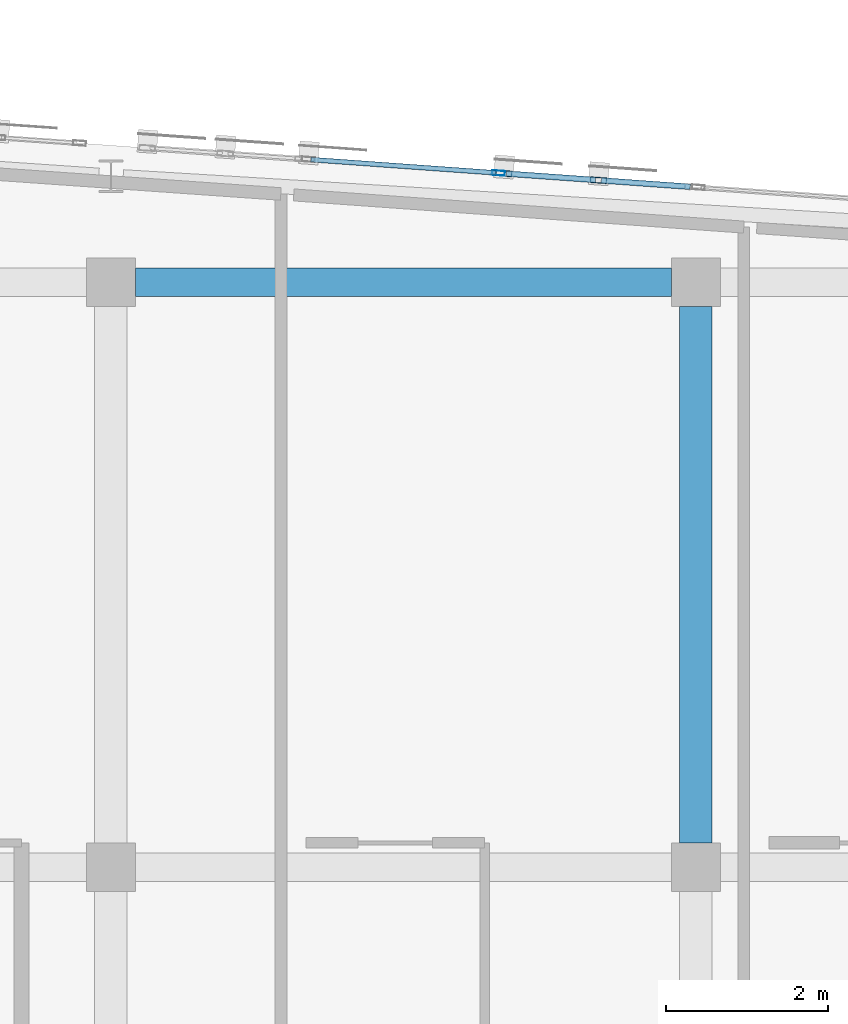
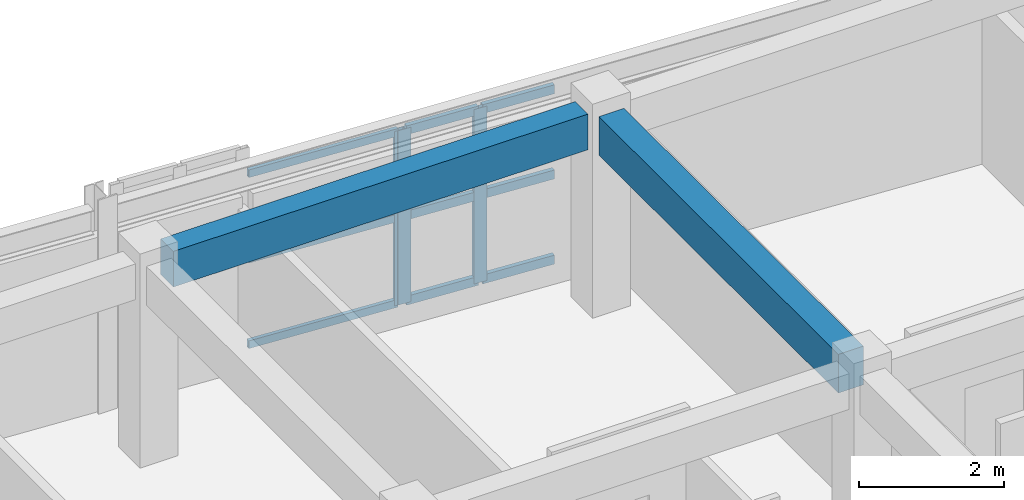
# One storey, part 25 of 51: 12 members, 2 beams, 2 elements without a shape of their own.
"""IFC4 building model written with IfcOpenShell, lengths in metres."""

import ifcopenshell
import ifcopenshell.guid

model = None  # the IFC model being written
_history = None  # IfcOwnerHistory: only IFC2X3 demands one
_inside = {}  # id of a spatial element -> (the spatial element, [elements in it])
_under = {}  # id of a project, library or spatial element -> (it, [spatial elements below it])
_declared = {}  # id of a project -> (the project, [libraries it declares])
_typed = {}  # id of a type object -> (the type object, [elements of that type])
_made_of = {}  # id of a material, layer set ... -> (it, [elements and type objects made of it])


def new_model(schema):
    """Start an empty IFC model of exactly this schema.

    Asked for "IFC4X3", IfcOpenShell would pick the latest addendum, in which some entities
    have other attributes; the version numbers below select the first issue.
    IFC2X3 requires an IfcOwnerHistory on every rooted entity: one is made here for all.
    """
    global model, _history
    if schema == "IFC4X3":
        model = ifcopenshell.file(schema_version=(4, 3, 0, 0))
    else:
        model = ifcopenshell.file(schema=schema)
    _inside.clear()
    _under.clear()
    _declared.clear()
    _typed.clear()
    _made_of.clear()
    _history = None
    if model.schema == "IFC2X3":
        org = make("IfcOrganization", Name="unknown")
        user = make(
            "IfcPersonAndOrganization",
            ThePerson=make("IfcPerson", FamilyName="unknown"),
            TheOrganization=org,
        )
        app = make(
            "IfcApplication",
            ApplicationDeveloper=org,
            Version="unknown",
            ApplicationFullName="unknown",
            ApplicationIdentifier="unknown",
        )
        _history = make(
            "IfcOwnerHistory",
            OwningUser=user,
            OwningApplication=app,
            ChangeAction="ADDED",
            CreationDate=0,
        )
    return model


def make(cls, **values):
    """One entity of the class cls with the attributes given. An attribute that is None is left unset."""
    return model.create_entity(
        cls, **{name: value for name, value in values.items() if value is not None}
    )


def rooted(cls, **values):
    """An entity with a GlobalId (a new one), such as an element, a storey or a relation."""
    return make(cls, GlobalId=ifcopenshell.guid.new(), OwnerHistory=_history, **values)


def si_unit(unit_type, name, prefix=None):
    """IfcSIUnit, for example si_unit("LENGTHUNIT", "METRE", prefix="MILLI")."""
    return make("IfcSIUnit", UnitType=unit_type, Prefix=prefix, Name=name)


def assignment(units):
    """IfcUnitAssignment: the units of a project."""
    return None if units is None else make("IfcUnitAssignment", Units=units)


def point(xyz):
    """IfcCartesianPoint."""
    return None if xyz is None else make("IfcCartesianPoint", Coordinates=xyz)


def direction(xyz):
    """IfcDirection."""
    return None if xyz is None else make("IfcDirection", DirectionRatios=xyz)


def frame(location, z_axis=None, x_axis=None):
    """IfcAxis2Placement3D, a coordinate frame: its origin and axes. An axis left out is left unset."""
    return make(
        "IfcAxis2Placement3D",
        Location=point(location),
        Axis=direction(z_axis),
        RefDirection=direction(x_axis),
    )


def frame_2d(location, x_axis=None):
    """IfcAxis2Placement2D, a coordinate frame in the plane: its origin and x axis."""
    return make(
        "IfcAxis2Placement2D", Location=point(location), RefDirection=direction(x_axis)
    )


def origin():
    """The frame at (0, 0, 0) with its axes left unset."""
    return frame((0.0, 0.0, 0.0))


def origin_2d():
    """The frame at (0, 0) in the plane with its x axis left unset."""
    return frame_2d((0.0, 0.0))


def place(relative_to, where):
    """IfcLocalPlacement: puts the frame where relative to a parent placement (None: the world)."""
    return make(
        "IfcLocalPlacement", PlacementRelTo=relative_to, RelativePlacement=where
    )


def context(
    kind, dimensions, precision=None, world=None, true_north=None, identifier=None
):
    """IfcGeometricRepresentationContext, for example the 3D "Model" context."""
    return make(
        "IfcGeometricRepresentationContext",
        ContextIdentifier=identifier,
        ContextType=kind,
        CoordinateSpaceDimension=dimensions,
        Precision=precision,
        WorldCoordinateSystem=world,
        TrueNorth=true_north,
    )


def subcontext(parent, identifier, kind, view, scale=None):
    """IfcGeometricRepresentationSubContext, for example "Body" below "Model"."""
    return make(
        "IfcGeometricRepresentationSubContext",
        ContextIdentifier=identifier,
        ContextType=kind,
        ParentContext=parent,
        TargetScale=scale,
        TargetView=view,
    )


def project(units=None, contexts=None):
    """IfcProject with its units and contexts."""
    return rooted(
        "IfcProject",
        Name="project",
        RepresentationContexts=contexts,
        UnitsInContext=assignment(units),
    )


def spatial(cls, under=None, at=None, **own):
    """A site, building, storey or space (cls), placed at a placement, below another one or the project."""
    s = rooted(cls, ObjectPlacement=at, **own)
    if under is not None:
        _under.setdefault(under.id(), (under, []))[1].append(s)
    return s


def profile(cls, at=None, kind="AREA", **sizes):
    """A parametric profile (cls). Its sizes go by their IFC names, for example OverallWidth=200.0."""
    return make(cls, ProfileType=kind, Position=at, **sizes)


def rectangle(**sizes):
    """IfcRectangleProfileDef."""
    return profile("IfcRectangleProfileDef", **sizes)


def hollow_rectangle(**sizes):
    """IfcRectangleHollowProfileDef."""
    return profile("IfcRectangleHollowProfileDef", **sizes)


def extrude(swept, where, along, depth):
    """IfcExtrudedAreaSolid: the profile swept, set in the frame where, extruded along a direction by depth."""
    return make(
        "IfcExtrudedAreaSolid",
        SweptArea=swept,
        Position=where,
        ExtrudedDirection=direction(along),
        Depth=depth,
    )


def shape(context_of_items, identifier, shape_type, items):
    """IfcShapeRepresentation: the items that make up one representation, for example the "Body"."""
    return make(
        "IfcShapeRepresentation",
        ContextOfItems=context_of_items,
        RepresentationIdentifier=identifier,
        RepresentationType=shape_type,
        Items=items,
    )


def material(Name=None, Category=None):
    """IfcMaterial."""
    return make("IfcMaterial", Name=Name, Category=Category)


def layer(
    of_material, thickness, ventilated=None, Name=None, Category=None, Priority=None
):
    """IfcMaterialLayer: one layer of a wall or slab, of a material (None: an air gap)."""
    return make(
        "IfcMaterialLayer",
        Material=of_material,
        LayerThickness=thickness,
        IsVentilated=ventilated,
        Name=Name,
        Category=Category,
        Priority=Priority,
    )


def layer_set(layers, Name=None):
    """IfcMaterialLayerSet."""
    return make("IfcMaterialLayerSet", MaterialLayers=layers, LayerSetName=Name)


def material_profile(
    of_material, cross_section, Name=None, Category=None, Priority=None
):
    """IfcMaterialProfile: a cross section and its material."""
    return make(
        "IfcMaterialProfile",
        Name=Name,
        Material=of_material,
        Profile=cross_section,
        Priority=Priority,
        Category=Category,
    )


def profile_set(profiles, Name=None, composite=None):
    """IfcMaterialProfileSet."""
    return make(
        "IfcMaterialProfileSet",
        Name=Name,
        MaterialProfiles=profiles,
        CompositeProfile=composite,
    )


def made_of(thing, what):
    """Note that an element or type object is made of a material, layer set ...; save() writes the relation."""
    if what is not None:
        _made_of.setdefault(what.id(), (what, []))[1].append(thing)
    return thing


def type_object(cls, material=None, **own):
    """A type object (cls), such as IfcWallType, which elements share."""
    return made_of(rooted(cls, **own), material)


def element(
    cls,
    number,
    at=None,
    inside=None,
    cuts=None,
    type_object=None,
    material=None,
    context=None,
    identifier="Body",
    shape_type=None,
    held_by="IfcProductDefinitionShape",
    body=None,
    shapes=None,
    **own,
):
    """One element of the class cls, such as IfcWall. Its Tag is "e" and its number.

    at: its placement. inside: the storey or other place that contains it. cuts: it is an
    opening in that element (IfcRelVoidsElement). A single representation is given by context,
    identifier, shape_type and body (its items); several are given by shapes. held_by: the class
    of the entity that holds the representations. save() writes the other relations.
    """
    e = rooted(cls, Tag="e%d" % number, ObjectPlacement=at, **own)
    if body is not None:
        shapes = [shape(context, identifier, shape_type, body)]
    if shapes is not None:
        e.Representation = make(held_by, Representations=shapes)
    if inside is not None:
        _inside.setdefault(inside.id(), (inside, []))[1].append(e)
    if cuts is not None:
        rooted(
            "IfcRelVoidsElement", RelatingBuildingElement=cuts, RelatedOpeningElement=e
        )
    if type_object is not None:
        _typed.setdefault(type_object.id(), (type_object, []))[1].append(e)
    return made_of(e, material)


def aggregate(whole, parts):
    """IfcRelAggregates: a whole, such as a stair, and the parts it consists of."""
    return rooted("IfcRelAggregates", RelatingObject=whole, RelatedObjects=parts)


def save(model, path):
    """Write the relations noted so far, then the file.

    IfcRelAggregates (storeys below a building ...), IfcRelContainedInSpatialStructure (elements
    in a storey), IfcRelDefinesByType, IfcRelAssociatesMaterial and IfcRelDeclares: one each for
    every whole, place, type object, material and project.
    """
    for whole, parts in _under.values():
        aggregate(whole, parts)
    for where, things in _inside.values():
        rooted(
            "IfcRelContainedInSpatialStructure",
            RelatedElements=things,
            RelatingStructure=where,
        )
    for kind, things in _typed.values():
        rooted("IfcRelDefinesByType", RelatedObjects=things, RelatingType=kind)
    for what, things in _made_of.values():
        rooted("IfcRelAssociatesMaterial", RelatedObjects=things, RelatingMaterial=what)
    for by, libraries in _declared.values():
        rooted("IfcRelDeclares", RelatingContext=by, RelatedDefinitions=libraries)
    model.write(path)


model = new_model("IFC4")

# Units and contexts
model_context = context("Model", 3, precision=1e-05, world=origin(), true_north=direction((0.0, 1.0)))
body_context = subcontext(model_context, "Body", "Model", "MODEL_VIEW")
ifc_project = project(units=[si_unit("LENGTHUNIT", "METRE"), si_unit("AREAUNIT", "SQUARE_METRE"), si_unit("VOLUMEUNIT", "CUBIC_METRE"), si_unit("PLANEANGLEUNIT", "RADIAN"), si_unit("MASSUNIT", "GRAM", prefix="KILO")], contexts=[model_context])

# Site, building, storey
site_placement = place(None, origin())
site = spatial("IfcSite", under=ifc_project, at=site_placement, CompositionType="ELEMENT")
building_placement = place(site_placement, origin())
building = spatial("IfcBuilding", under=site, at=building_placement, Name="Carrowvane Square Congress Hotel", CompositionType="ELEMENT")
storey_placement = place(building_placement, frame((0.0, 0.0, 30.0)))
storey = spatial("IfcBuildingStorey", under=building, at=storey_placement, Name="L07", CompositionType="ELEMENT", Elevation=30.0)

# Beams
ifc_material_1 = material(Name="Concrete C35/45", Category="concrete")
ifc_material_profile_1 = material_profile(ifc_material_1, rectangle(XDim=0.35009765625, YDim=0.60009765625, at=origin_2d()), Name="RC 350x600")
ifc_profile_set_1 = profile_set([ifc_material_profile_1], Name="Concrete C35/45")
beam_type_1 = type_object("IfcBeamType", Name="BM-RC-350x600", PredefinedType="BEAM", material=ifc_profile_set_1)
beam_1_placement = place(storey_placement, frame((134.300048828125, 113.39990234375, 3.06005859375), z_axis=(1.0, 0.0, 0.0), x_axis=(0.0, 1.0, 0.0)))
element("IfcBeam", 1, at=beam_1_placement, inside=storey, type_object=beam_type_1, Name="L08 girder R/18-19", PredefinedType="BEAM", context=body_context, shape_type="SweptSolid", body=[
    extrude(rectangle(XDim=0.35009765625, YDim=0.60009765625, at=origin_2d()), origin(), (0.0, 0.0, 1.0), 6.599853515625),
])
ifc_material_2 = material(Name="Concrete C35/45", Category="concrete")
ifc_material_profile_2 = material_profile(ifc_material_2, rectangle(XDim=0.39990234375, YDim=0.64990234375, at=origin_2d()), Name="RC 400x650")
ifc_profile_set_2 = profile_set([ifc_material_profile_2], Name="Concrete C35/45")
beam_type_2 = type_object("IfcBeamType", Name="BM-RC-400x650", PredefinedType="BEAM", material=ifc_profile_set_2)
beam_2_placement = place(storey_placement, frame((141.199951171875, 106.5, 3.034912109375), z_axis=(0.0, 1.0, 0.0), x_axis=(-1.0, 0.0, 0.0)))
element("IfcBeam", 2, at=beam_2_placement, inside=storey, type_object=beam_type_2, Name="L08 girder 19/Q-R", PredefinedType="BEAM", context=body_context, shape_type="SweptSolid", body=[
    extrude(rectangle(XDim=0.39990234375, YDim=0.64990234375, at=origin_2d()), origin(), (0.0, 0.0, 1.0), 6.60009765625),
])

# Curtain wall, member
ifc_material_3 = material(Name="Anodised aluminium", Category="aluminium")
ifc_layer_1 = layer(ifc_material_3, 0.162109375)
ifc_layer_set_1 = layer_set([ifc_layer_1], Name="Anodised aluminium")
curtain_wall_type_1 = type_object("IfcCurtainWallType", Name="CW-SYS-1", PredefinedType="NOTDEFINED", material=ifc_layer_set_1)
curtain_wall_1_placement = place(storey_placement, origin())
curtain_wall_1 = element("IfcCurtainWall", 3, at=curtain_wall_1_placement, inside=storey, type_object=curtain_wall_type_1, Name="L07 unitised curtain wall 448", PredefinedType="NOTDEFINED")
ifc_material_4 = material(Name="Anodised aluminium", Category="aluminium")
ifc_material_profile_3 = material_profile(ifc_material_4, hollow_rectangle(XDim=0.06005859375, YDim=0.159912109375, WallThickness=0.00390625, at=origin_2d()), Name="CW-ML 60x160x4")
ifc_profile_set_3 = profile_set([ifc_material_profile_3], Name="Anodised aluminium")
member_type_1 = type_object("IfcMemberType", Name="CW-MUL-1", PredefinedType="MULLION", material=ifc_profile_set_3)
member_1_placement = place(storey_placement, frame((138.77001953125, 114.745361328125, 0.0), z_axis=(0.0, 0.0, 1.0), x_axis=(0.071531759512, 0.997438322595, 0.0)))
member_1 = element("IfcMember", 4, at=member_1_placement, type_object=member_type_1, Name="CW-1 mullion 2", PredefinedType="MULLION", context=body_context, shape_type="SweptSolid", body=[
    extrude(hollow_rectangle(XDim=0.06005859375, YDim=0.159912109375, WallThickness=0.00390625, at=origin_2d()), origin(), (0.0, 0.0, 1.0), 2.935546875),
])

# Curtain wall, members
ifc_material_5 = material(Name="Anodised aluminium", Category="aluminium")
ifc_layer_2 = layer(ifc_material_5, 0.174072265625)
ifc_layer_set_2 = layer_set([ifc_layer_2], Name="Anodised aluminium")
curtain_wall_type_2 = type_object("IfcCurtainWallType", Name="CW-SYS-2", PredefinedType="NOTDEFINED", material=ifc_layer_set_2)
curtain_wall_2_placement = place(storey_placement, origin())
curtain_wall_2 = element("IfcCurtainWall", 5, at=curtain_wall_2_placement, inside=storey, type_object=curtain_wall_type_2, Name="L07 unitised curtain wall 449", PredefinedType="NOTDEFINED")
ifc_material_6 = material(Name="Anodised aluminium", Category="aluminium")
ifc_material_profile_4 = material_profile(ifc_material_6, hollow_rectangle(XDim=0.070068359375, YDim=0.199951171875, WallThickness=0.0048828125, at=origin_2d()), Name="CW-ML 70x200x5")
ifc_profile_set_4 = profile_set([ifc_material_profile_4], Name="Anodised aluminium")
member_type_2 = type_object("IfcMemberType", Name="CW-MUL-2", PredefinedType="MULLION", material=ifc_profile_set_4)
member_2_placement = place(storey_placement, frame((138.8349609375, 114.74072265625, 0.0), z_axis=(0.0, 0.0, 1.0), x_axis=(0.071422490945, 0.997446152826, 0.0)))
member_2 = element("IfcMember", 6, at=member_2_placement, type_object=member_type_2, Name="CW-2 mullion 1", PredefinedType="MULLION", context=body_context, shape_type="SweptSolid", body=[
    extrude(hollow_rectangle(XDim=0.070068359375, YDim=0.199951171875, WallThickness=0.0048828125, at=origin_2d()), origin(), (0.0, 0.0, 1.0), 2.935546875),
])
member_3_placement = place(storey_placement, frame((140.0, 114.6572265625, 0.0), z_axis=(0.0, 0.0, 1.0), x_axis=(0.071422490945, 0.997446152826, 0.0)))
member_3 = element("IfcMember", 7, at=member_3_placement, type_object=member_type_2, Name="CW-2 mullion 2", PredefinedType="MULLION", context=body_context, shape_type="SweptSolid", body=[
    extrude(hollow_rectangle(XDim=0.070068359375, YDim=0.199951171875, WallThickness=0.0048828125, at=origin_2d()), origin(), (0.0, 0.0, 1.0), 2.935546875),
])

# Member
ifc_material_7 = material(Name="Anodised aluminium", Category="aluminium")
ifc_material_profile_5 = material_profile(ifc_material_7, hollow_rectangle(XDim=0.06005859375, YDim=0.1298828125, WallThickness=0.00390625, at=origin_2d()), Name="CW-TR 60x130x4")
ifc_profile_set_5 = profile_set([ifc_material_profile_5], Name="Anodised aluminium")
member_type_3 = type_object("IfcMemberType", Name="CW-TRN-1", PredefinedType="USERDEFINED", material=ifc_profile_set_5)
member_4_placement = place(storey_placement, frame((136.4599609375, 114.910888671875, 0.030029296875), z_axis=(0.997436969988, -0.071550617761, 0.0), x_axis=(0.071550617761, 0.997436969988, 0.0)))
member_4 = element("IfcMember", 8, at=member_4_placement, type_object=member_type_3, Name="CW-1 transom 1.1", ObjectType="TRANSOM", PredefinedType="USERDEFINED", context=body_context, shape_type="SweptSolid", body=[
    extrude(hollow_rectangle(XDim=0.06005859375, YDim=0.1298828125, WallThickness=0.00390625, at=origin_2d()), origin(), (0.0, 0.0, 1.0), 2.2861328125),
])

member_5_placement = place(storey_placement, frame((136.4599609375, 114.910888671875, 1.4677734375), z_axis=(0.997436969988, -0.071550617761, 0.0), x_axis=(0.071550617761, 0.997436969988, 0.0)))
member_5 = element("IfcMember", 9, at=member_5_placement, type_object=member_type_3, Name="CW-1 transom 1.2", ObjectType="TRANSOM", PredefinedType="USERDEFINED", context=body_context, shape_type="SweptSolid", body=[
    extrude(hollow_rectangle(XDim=0.06005859375, YDim=0.1298828125, WallThickness=0.00390625, at=origin_2d()), origin(), (0.0, 0.0, 1.0), 2.2861328125),
])

member_6_placement = place(storey_placement, frame((136.4599609375, 114.910888671875, 2.905517578125), z_axis=(0.997436969988, -0.071550617761, 0.0), x_axis=(0.071550617761, 0.997436969988, 0.0)))
member_6 = element("IfcMember", 10, at=member_6_placement, type_object=member_type_3, Name="CW-1 transom 1.3", ObjectType="TRANSOM", PredefinedType="USERDEFINED", context=body_context, shape_type="SweptSolid", body=[
    extrude(hollow_rectangle(XDim=0.06005859375, YDim=0.1298828125, WallThickness=0.00390625, at=origin_2d()), origin(), (0.0, 0.0, 1.0), 2.2861328125),
])

aggregate(curtain_wall_1, [member_1, member_4, member_5, member_6])

ifc_material_8 = material(Name="Anodised aluminium", Category="aluminium")
ifc_material_profile_6 = material_profile(ifc_material_8, hollow_rectangle(XDim=0.070068359375, YDim=0.14990234375, WallThickness=0.0048828125, at=origin_2d()), Name="CW-TR 70x150x5")
ifc_profile_set_6 = profile_set([ifc_material_profile_6], Name="Anodised aluminium")
member_type_4 = type_object("IfcMemberType", Name="CW-TRN-2", PredefinedType="USERDEFINED", material=ifc_profile_set_6)
member_7_placement = place(storey_placement, frame((138.869873046875, 114.738037109375, 0.034912109375), z_axis=(0.997449662492, -0.071373460022, 0.0), x_axis=(0.071373460022, 0.997449662492, 0.0)))
member_7 = element("IfcMember", 11, at=member_7_placement, type_object=member_type_4, Name="CW-2 transom 1.1", ObjectType="TRANSOM", PredefinedType="USERDEFINED", context=body_context, shape_type="SweptSolid", body=[
    extrude(hollow_rectangle(XDim=0.070068359375, YDim=0.14990234375, WallThickness=0.0048828125, at=origin_2d()), origin(), (0.0, 0.0, 1.0), 1.097900390625),
])

member_8_placement = place(storey_placement, frame((138.869873046875, 114.738037109375, 1.4677734375), z_axis=(0.997449662492, -0.071373460022, 0.0), x_axis=(0.071373460022, 0.997449662492, 0.0)))
member_8 = element("IfcMember", 12, at=member_8_placement, type_object=member_type_4, Name="CW-2 transom 1.2", ObjectType="TRANSOM", PredefinedType="USERDEFINED", context=body_context, shape_type="SweptSolid", body=[
    extrude(hollow_rectangle(XDim=0.070068359375, YDim=0.14990234375, WallThickness=0.0048828125, at=origin_2d()), origin(), (0.0, 0.0, 1.0), 1.097900390625),
])

member_9_placement = place(storey_placement, frame((138.869873046875, 114.738037109375, 2.900634765625), z_axis=(0.997449662492, -0.071373460022, 0.0), x_axis=(0.071373460022, 0.997449662492, 0.0)))
member_9 = element("IfcMember", 13, at=member_9_placement, type_object=member_type_4, Name="CW-2 transom 1.3", ObjectType="TRANSOM", PredefinedType="USERDEFINED", context=body_context, shape_type="SweptSolid", body=[
    extrude(hollow_rectangle(XDim=0.070068359375, YDim=0.14990234375, WallThickness=0.0048828125, at=origin_2d()), origin(), (0.0, 0.0, 1.0), 1.097900390625),
])

member_10_placement = place(storey_placement, frame((140.034912109375, 114.65478515625, 0.034912109375), z_axis=(0.997433808996, -0.071594669304, 0.0), x_axis=(0.071594669304, 0.997433808996, 0.0)))
member_10 = element("IfcMember", 14, at=member_10_placement, type_object=member_type_4, Name="CW-2 transom 2.1", ObjectType="TRANSOM", PredefinedType="USERDEFINED", context=body_context, shape_type="SweptSolid", body=[
    extrude(hollow_rectangle(XDim=0.070068359375, YDim=0.14990234375, WallThickness=0.0048828125, at=origin_2d()), origin(), (0.0, 0.0, 1.0), 1.09814453125),
])

member_11_placement = place(storey_placement, frame((140.034912109375, 114.65478515625, 1.4677734375), z_axis=(0.997433808996, -0.071594669304, 0.0), x_axis=(0.071594669304, 0.997433808996, 0.0)))
member_11 = element("IfcMember", 15, at=member_11_placement, type_object=member_type_4, Name="CW-2 transom 2.2", ObjectType="TRANSOM", PredefinedType="USERDEFINED", context=body_context, shape_type="SweptSolid", body=[
    extrude(hollow_rectangle(XDim=0.070068359375, YDim=0.14990234375, WallThickness=0.0048828125, at=origin_2d()), origin(), (0.0, 0.0, 1.0), 1.09814453125),
])

member_12_placement = place(storey_placement, frame((140.034912109375, 114.65478515625, 2.900634765625), z_axis=(0.997433808996, -0.071594669304, 0.0), x_axis=(0.071594669304, 0.997433808996, 0.0)))
member_12 = element("IfcMember", 16, at=member_12_placement, type_object=member_type_4, Name="CW-2 transom 2.3", ObjectType="TRANSOM", PredefinedType="USERDEFINED", context=body_context, shape_type="SweptSolid", body=[
    extrude(hollow_rectangle(XDim=0.070068359375, YDim=0.14990234375, WallThickness=0.0048828125, at=origin_2d()), origin(), (0.0, 0.0, 1.0), 1.09814453125),
])

aggregate(curtain_wall_2, [member_2, member_3, member_7, member_8, member_9, member_10, member_11, member_12])

save(model, "model.ifc")
